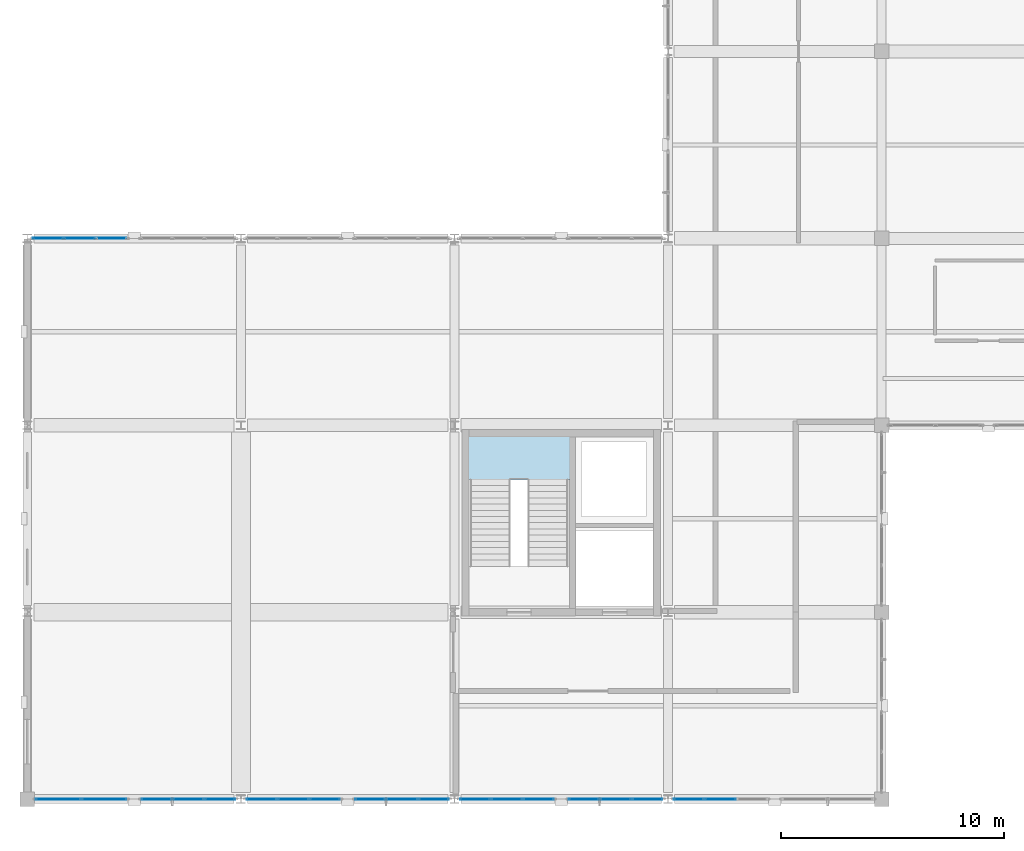
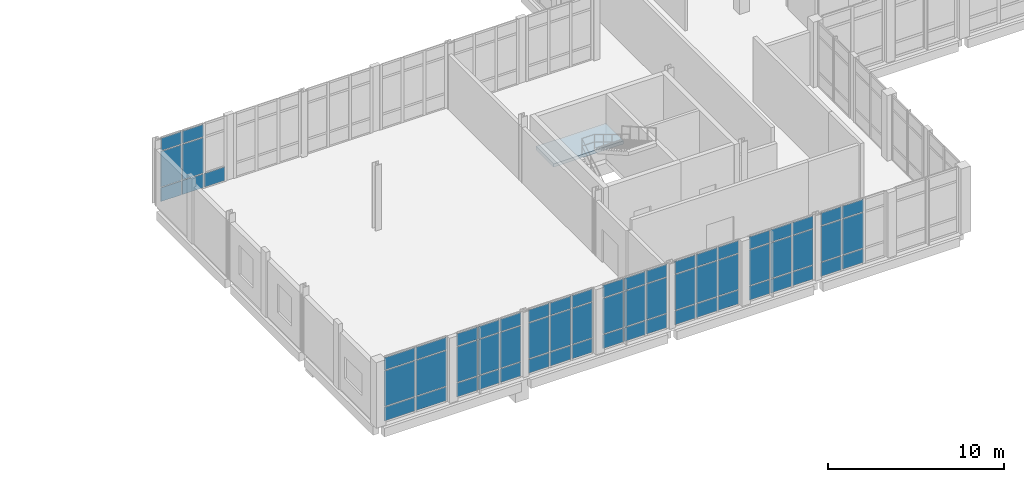
# One storey, part 74 of 102: 64 plates, 1 slab, 9 elements without a shape of their own.
"""IFC4 building model written with IfcOpenShell, lengths in metres."""

import ifcopenshell
import ifcopenshell.guid

model = None  # the IFC model being written
_history = None  # IfcOwnerHistory: only IFC2X3 demands one
_inside = {}  # id of a spatial element -> (the spatial element, [elements in it])
_under = {}  # id of a project, library or spatial element -> (it, [spatial elements below it])
_declared = {}  # id of a project -> (the project, [libraries it declares])
_typed = {}  # id of a type object -> (the type object, [elements of that type])
_made_of = {}  # id of a material, layer set ... -> (it, [elements and type objects made of it])


def new_model(schema):
    """Start an empty IFC model of exactly this schema.

    Asked for "IFC4X3", IfcOpenShell would pick the latest addendum, in which some entities
    have other attributes; the version numbers below select the first issue.
    IFC2X3 requires an IfcOwnerHistory on every rooted entity: one is made here for all.
    """
    global model, _history
    if schema == "IFC4X3":
        model = ifcopenshell.file(schema_version=(4, 3, 0, 0))
    else:
        model = ifcopenshell.file(schema=schema)
    _inside.clear()
    _under.clear()
    _declared.clear()
    _typed.clear()
    _made_of.clear()
    _history = None
    if model.schema == "IFC2X3":
        org = make("IfcOrganization", Name="unknown")
        user = make(
            "IfcPersonAndOrganization",
            ThePerson=make("IfcPerson", FamilyName="unknown"),
            TheOrganization=org,
        )
        app = make(
            "IfcApplication",
            ApplicationDeveloper=org,
            Version="unknown",
            ApplicationFullName="unknown",
            ApplicationIdentifier="unknown",
        )
        _history = make(
            "IfcOwnerHistory",
            OwningUser=user,
            OwningApplication=app,
            ChangeAction="ADDED",
            CreationDate=0,
        )
    return model


def make(cls, **values):
    """One entity of the class cls with the attributes given. An attribute that is None is left unset."""
    return model.create_entity(
        cls, **{name: value for name, value in values.items() if value is not None}
    )


def rooted(cls, **values):
    """An entity with a GlobalId (a new one), such as an element, a storey or a relation."""
    return make(cls, GlobalId=ifcopenshell.guid.new(), OwnerHistory=_history, **values)


def si_unit(unit_type, name, prefix=None):
    """IfcSIUnit, for example si_unit("LENGTHUNIT", "METRE", prefix="MILLI")."""
    return make("IfcSIUnit", UnitType=unit_type, Prefix=prefix, Name=name)


def assignment(units):
    """IfcUnitAssignment: the units of a project."""
    return None if units is None else make("IfcUnitAssignment", Units=units)


def point(xyz):
    """IfcCartesianPoint."""
    return None if xyz is None else make("IfcCartesianPoint", Coordinates=xyz)


def direction(xyz):
    """IfcDirection."""
    return None if xyz is None else make("IfcDirection", DirectionRatios=xyz)


def frame(location, z_axis=None, x_axis=None):
    """IfcAxis2Placement3D, a coordinate frame: its origin and axes. An axis left out is left unset."""
    return make(
        "IfcAxis2Placement3D",
        Location=point(location),
        Axis=direction(z_axis),
        RefDirection=direction(x_axis),
    )


def frame_2d(location, x_axis=None):
    """IfcAxis2Placement2D, a coordinate frame in the plane: its origin and x axis."""
    return make(
        "IfcAxis2Placement2D", Location=point(location), RefDirection=direction(x_axis)
    )


def origin():
    """The frame at (0, 0, 0) with its axes left unset."""
    return frame((0.0, 0.0, 0.0))


def origin_2d():
    """The frame at (0, 0) in the plane with its x axis left unset."""
    return frame_2d((0.0, 0.0))


def place(relative_to, where):
    """IfcLocalPlacement: puts the frame where relative to a parent placement (None: the world)."""
    return make(
        "IfcLocalPlacement", PlacementRelTo=relative_to, RelativePlacement=where
    )


def context(
    kind, dimensions, precision=None, world=None, true_north=None, identifier=None
):
    """IfcGeometricRepresentationContext, for example the 3D "Model" context."""
    return make(
        "IfcGeometricRepresentationContext",
        ContextIdentifier=identifier,
        ContextType=kind,
        CoordinateSpaceDimension=dimensions,
        Precision=precision,
        WorldCoordinateSystem=world,
        TrueNorth=true_north,
    )


def subcontext(parent, identifier, kind, view, scale=None):
    """IfcGeometricRepresentationSubContext, for example "Body" below "Model"."""
    return make(
        "IfcGeometricRepresentationSubContext",
        ContextIdentifier=identifier,
        ContextType=kind,
        ParentContext=parent,
        TargetScale=scale,
        TargetView=view,
    )


def project(units=None, contexts=None):
    """IfcProject with its units and contexts."""
    return rooted(
        "IfcProject",
        Name="project",
        RepresentationContexts=contexts,
        UnitsInContext=assignment(units),
    )


def spatial(cls, under=None, at=None, **own):
    """A site, building, storey or space (cls), placed at a placement, below another one or the project."""
    s = rooted(cls, ObjectPlacement=at, **own)
    if under is not None:
        _under.setdefault(under.id(), (under, []))[1].append(s)
    return s


def polyline(points):
    """IfcPolyline through the points."""
    return make("IfcPolyline", Points=[point(p) for p in points])


def profile(cls, at=None, kind="AREA", **sizes):
    """A parametric profile (cls). Its sizes go by their IFC names, for example OverallWidth=200.0."""
    return make(cls, ProfileType=kind, Position=at, **sizes)


def rectangle(**sizes):
    """IfcRectangleProfileDef."""
    return profile("IfcRectangleProfileDef", **sizes)


def outline(outer, holes=None, kind="AREA"):
    """IfcArbitraryClosedProfileDef: a profile drawn as a closed curve; with holes, ...WithVoids."""
    if holes is None:
        return make("IfcArbitraryClosedProfileDef", ProfileType=kind, OuterCurve=outer)
    return make(
        "IfcArbitraryProfileDefWithVoids",
        ProfileType=kind,
        OuterCurve=outer,
        InnerCurves=holes,
    )


def extrude(swept, where, along, depth):
    """IfcExtrudedAreaSolid: the profile swept, set in the frame where, extruded along a direction by depth."""
    return make(
        "IfcExtrudedAreaSolid",
        SweptArea=swept,
        Position=where,
        ExtrudedDirection=direction(along),
        Depth=depth,
    )


def shape(context_of_items, identifier, shape_type, items):
    """IfcShapeRepresentation: the items that make up one representation, for example the "Body"."""
    return make(
        "IfcShapeRepresentation",
        ContextOfItems=context_of_items,
        RepresentationIdentifier=identifier,
        RepresentationType=shape_type,
        Items=items,
    )


def material(Name=None, Category=None):
    """IfcMaterial."""
    return make("IfcMaterial", Name=Name, Category=Category)


def layer(
    of_material, thickness, ventilated=None, Name=None, Category=None, Priority=None
):
    """IfcMaterialLayer: one layer of a wall or slab, of a material (None: an air gap)."""
    return make(
        "IfcMaterialLayer",
        Material=of_material,
        LayerThickness=thickness,
        IsVentilated=ventilated,
        Name=Name,
        Category=Category,
        Priority=Priority,
    )


def layer_set(layers, Name=None):
    """IfcMaterialLayerSet."""
    return make("IfcMaterialLayerSet", MaterialLayers=layers, LayerSetName=Name)


def made_of(thing, what):
    """Note that an element or type object is made of a material, layer set ...; save() writes the relation."""
    if what is not None:
        _made_of.setdefault(what.id(), (what, []))[1].append(thing)
    return thing


def type_object(cls, material=None, **own):
    """A type object (cls), such as IfcWallType, which elements share."""
    return made_of(rooted(cls, **own), material)


def element(
    cls,
    number,
    at=None,
    inside=None,
    cuts=None,
    type_object=None,
    material=None,
    context=None,
    identifier="Body",
    shape_type=None,
    held_by="IfcProductDefinitionShape",
    body=None,
    shapes=None,
    **own,
):
    """One element of the class cls, such as IfcWall. Its Tag is "e" and its number.

    at: its placement. inside: the storey or other place that contains it. cuts: it is an
    opening in that element (IfcRelVoidsElement). A single representation is given by context,
    identifier, shape_type and body (its items); several are given by shapes. held_by: the class
    of the entity that holds the representations. save() writes the other relations.
    """
    e = rooted(cls, Tag="e%d" % number, ObjectPlacement=at, **own)
    if body is not None:
        shapes = [shape(context, identifier, shape_type, body)]
    if shapes is not None:
        e.Representation = make(held_by, Representations=shapes)
    if inside is not None:
        _inside.setdefault(inside.id(), (inside, []))[1].append(e)
    if cuts is not None:
        rooted(
            "IfcRelVoidsElement", RelatingBuildingElement=cuts, RelatedOpeningElement=e
        )
    if type_object is not None:
        _typed.setdefault(type_object.id(), (type_object, []))[1].append(e)
    return made_of(e, material)


def aggregate(whole, parts):
    """IfcRelAggregates: a whole, such as a stair, and the parts it consists of."""
    return rooted("IfcRelAggregates", RelatingObject=whole, RelatedObjects=parts)


def save(model, path):
    """Write the relations noted so far, then the file.

    IfcRelAggregates (storeys below a building ...), IfcRelContainedInSpatialStructure (elements
    in a storey), IfcRelDefinesByType, IfcRelAssociatesMaterial and IfcRelDeclares: one each for
    every whole, place, type object, material and project.
    """
    for whole, parts in _under.values():
        aggregate(whole, parts)
    for where, things in _inside.values():
        rooted(
            "IfcRelContainedInSpatialStructure",
            RelatedElements=things,
            RelatingStructure=where,
        )
    for kind, things in _typed.values():
        rooted("IfcRelDefinesByType", RelatedObjects=things, RelatingType=kind)
    for what, things in _made_of.values():
        rooted("IfcRelAssociatesMaterial", RelatedObjects=things, RelatingMaterial=what)
    for by, libraries in _declared.values():
        rooted("IfcRelDeclares", RelatingContext=by, RelatedDefinitions=libraries)
    model.write(path)


model = new_model("IFC4")

# Units and contexts
model_context = context("Model", 3, precision=1e-05, world=origin(), true_north=direction((0.0, 1.0)))
body_context = subcontext(model_context, "Body", "Model", "MODEL_VIEW")
ifc_project = project(units=[si_unit("LENGTHUNIT", "METRE"), si_unit("AREAUNIT", "SQUARE_METRE"), si_unit("VOLUMEUNIT", "CUBIC_METRE"), si_unit("PLANEANGLEUNIT", "RADIAN"), si_unit("MASSUNIT", "GRAM", prefix="KILO")], contexts=[model_context])

# Site, building, storey
site_placement = place(None, origin())
site = spatial("IfcSite", under=ifc_project, at=site_placement, CompositionType="ELEMENT")
building_placement = place(site_placement, origin())
building = spatial("IfcBuilding", under=site, at=building_placement, Name="Lornevale Opera House", CompositionType="ELEMENT")
storey_placement = place(building_placement, frame((0.0, 0.0, 5.39990234375)))
storey = spatial("IfcBuildingStorey", under=building, at=storey_placement, Name="L02", CompositionType="ELEMENT", Elevation=5.39990234375)

# Curtain wall, plates
ifc_material_1 = material(Name="Anodized Oxide-Green Aluminium Framing", Category="aluminium")
ifc_layer_1 = layer(ifc_material_1, 0.175048828125)
ifc_layer_set_1 = layer_set([ifc_layer_1], Name="Anodized Oxide-Green Aluminium Framing")
curtain_wall_type = type_object("IfcCurtainWallType", Name="Chamber Cloister Curtain Wall M1700", PredefinedType="NOTDEFINED", material=ifc_layer_set_1)
curtain_wall_1_placement = place(storey_placement, origin())
curtain_wall_1 = element("IfcCurtainWall", 1, at=curtain_wall_1_placement, inside=storey, type_object=curtain_wall_type, Name="Chamber Cloister Curtain Wall M1700 CW-021", PredefinedType="NOTDEFINED")
ifc_material_2 = material(Name="Triple Low-E Insulated Glazing", Category="glass")
ifc_layer_2 = layer(ifc_material_2, 0.0419921875)
ifc_layer_set_2 = layer_set([ifc_layer_2], Name="Triple Low-E Insulated Glazing")
plate_type = type_object("IfcPlateType", Name="Ceramic Fritted Bird-Safe Panel 42", PredefinedType="CURTAIN_PANEL", material=ifc_layer_set_2)
plate_1_placement = place(storey_placement, frame((8.669677734375, 0.0, 0.0654296875), z_axis=(0.0, 0.0, 1.0), x_axis=(-1.0, 0.0, 0.0)))
plate_1 = element("IfcPlate", 2, at=plate_1_placement, type_object=plate_type, Name="Ceramic Fritted Bird-Safe Panel 42 CW0349", PredefinedType="CURTAIN_PANEL", context=body_context, shape_type="SweptSolid", body=[
    extrude(rectangle(XDim=1.3447265625, YDim=0.0419921875, at=origin_2d()), origin(), (0.0, 0.0, 1.0), 0.952392578125),
])
plate_2_placement = place(storey_placement, frame((8.669677734375, 0.0, 1.08251953125), z_axis=(0.0, 0.0, 1.0), x_axis=(-1.0, 0.0, 0.0)))
plate_2 = element("IfcPlate", 3, at=plate_2_placement, type_object=plate_type, Name="Ceramic Fritted Bird-Safe Panel 42 CW0350", PredefinedType="CURTAIN_PANEL", context=body_context, shape_type="SweptSolid", body=[
    extrude(rectangle(XDim=1.3447265625, YDim=0.0419921875, at=origin_2d()), origin(), (0.0, 0.0, 1.0), 2.455078125),
])
plate_3_placement = place(storey_placement, frame((8.669677734375, 0.0, 3.6025390625), z_axis=(0.0, 0.0, 1.0), x_axis=(-1.0, 0.0, 0.0)))
plate_3 = element("IfcPlate", 4, at=plate_3_placement, type_object=plate_type, Name="Ceramic Fritted Bird-Safe Panel 42 CW0351", PredefinedType="CURTAIN_PANEL", context=body_context, shape_type="SweptSolid", body=[
    extrude(rectangle(XDim=1.3447265625, YDim=0.0419921875, at=origin_2d()), origin(), (0.0, 0.0, 1.0), 0.8525390625),
])
plate_4_placement = place(storey_placement, frame((7.243408203125, 0.0, 0.0654296875), z_axis=(0.0, 0.0, 1.0), x_axis=(-1.0, 0.0, 0.0)))
plate_4 = element("IfcPlate", 5, at=plate_4_placement, type_object=plate_type, Name="Ceramic Fritted Bird-Safe Panel 42 CW0356", PredefinedType="CURTAIN_PANEL", context=body_context, shape_type="SweptSolid", body=[
    extrude(rectangle(XDim=1.377197265625, YDim=0.0419921875, at=origin_2d()), origin(), (0.0, 0.0, 1.0), 0.952392578125),
])
plate_5_placement = place(storey_placement, frame((7.243408203125, 0.0, 1.08251953125), z_axis=(0.0, 0.0, 1.0), x_axis=(-1.0, 0.0, 0.0)))
plate_5 = element("IfcPlate", 6, at=plate_5_placement, type_object=plate_type, Name="Ceramic Fritted Bird-Safe Panel 42 CW0357", PredefinedType="CURTAIN_PANEL", context=body_context, shape_type="SweptSolid", body=[
    extrude(rectangle(XDim=1.377197265625, YDim=0.0419921875, at=origin_2d()), origin(), (0.0, 0.0, 1.0), 2.455078125),
])
plate_6_placement = place(storey_placement, frame((7.243408203125, 0.0, 3.6025390625), z_axis=(0.0, 0.0, 1.0), x_axis=(-1.0, 0.0, 0.0)))
plate_6 = element("IfcPlate", 7, at=plate_6_placement, type_object=plate_type, Name="Ceramic Fritted Bird-Safe Panel 42 CW0358", PredefinedType="CURTAIN_PANEL", context=body_context, shape_type="SweptSolid", body=[
    extrude(rectangle(XDim=1.377197265625, YDim=0.0419921875, at=origin_2d()), origin(), (0.0, 0.0, 1.0), 0.8525390625),
])
plate_7_placement = place(storey_placement, frame((5.8173828125, 0.0, 0.0654296875), z_axis=(0.0, 0.0, 1.0), x_axis=(-1.0, 0.0, 0.0)))
plate_7 = element("IfcPlate", 8, at=plate_7_placement, type_object=plate_type, Name="Ceramic Fritted Bird-Safe Panel 42 CW0363", PredefinedType="CURTAIN_PANEL", context=body_context, shape_type="SweptSolid", body=[
    extrude(rectangle(XDim=1.3447265625, YDim=0.0419921875, at=origin_2d()), origin(), (0.0, 0.0, 1.0), 0.952392578125),
])
plate_8_placement = place(storey_placement, frame((5.8173828125, 0.0, 1.08251953125), z_axis=(0.0, 0.0, 1.0), x_axis=(-1.0, 0.0, 0.0)))
plate_8 = element("IfcPlate", 9, at=plate_8_placement, type_object=plate_type, Name="Ceramic Fritted Bird-Safe Panel 42 CW0364", PredefinedType="CURTAIN_PANEL", context=body_context, shape_type="SweptSolid", body=[
    extrude(rectangle(XDim=1.3447265625, YDim=0.0419921875, at=origin_2d()), origin(), (0.0, 0.0, 1.0), 2.455078125),
])
plate_9_placement = place(storey_placement, frame((5.8173828125, 0.0, 3.6025390625), z_axis=(0.0, 0.0, 1.0), x_axis=(-1.0, 0.0, 0.0)))
plate_9 = element("IfcPlate", 10, at=plate_9_placement, type_object=plate_type, Name="Ceramic Fritted Bird-Safe Panel 42 CW0365", PredefinedType="CURTAIN_PANEL", context=body_context, shape_type="SweptSolid", body=[
    extrude(rectangle(XDim=1.3447265625, YDim=0.0419921875, at=origin_2d()), origin(), (0.0, 0.0, 1.0), 0.8525390625),
])
aggregate(curtain_wall_1, [plate_1, plate_2, plate_3, plate_4, plate_5, plate_6, plate_7, plate_8, plate_9])

curtain_wall_2_placement = place(storey_placement, origin())
curtain_wall_2 = element("IfcCurtainWall", 11, at=curtain_wall_2_placement, inside=storey, type_object=curtain_wall_type, Name="Chamber Cloister Curtain Wall M1700 CW-022", PredefinedType="NOTDEFINED")
plate_10_placement = place(storey_placement, frame((3.4541015625, 0.0, 0.0654296875), z_axis=(0.0, 0.0, 1.0), x_axis=(-1.0, 0.0, 0.0)))
plate_10 = element("IfcPlate", 12, at=plate_10_placement, type_object=plate_type, Name="Ceramic Fritted Bird-Safe Panel 42 CW0373", PredefinedType="CURTAIN_PANEL", context=body_context, shape_type="SweptSolid", body=[
    extrude(rectangle(XDim=2.001953125, YDim=0.0419921875, at=origin_2d()), origin(), (0.0, 0.0, 1.0), 0.952392578125),
])
plate_11_placement = place(storey_placement, frame((3.4541015625, 0.0, 1.08251953125), z_axis=(0.0, 0.0, 1.0), x_axis=(-1.0, 0.0, 0.0)))
plate_11 = element("IfcPlate", 13, at=plate_11_placement, type_object=plate_type, Name="Ceramic Fritted Bird-Safe Panel 42 CW0374", PredefinedType="CURTAIN_PANEL", context=body_context, shape_type="SweptSolid", body=[
    extrude(rectangle(XDim=2.001953125, YDim=0.0419921875, at=origin_2d()), origin(), (0.0, 0.0, 1.0), 2.455078125),
])
plate_12_placement = place(storey_placement, frame((3.4541015625, 0.0, 3.6025390625), z_axis=(0.0, 0.0, 1.0), x_axis=(-1.0, 0.0, 0.0)))
plate_12 = element("IfcPlate", 14, at=plate_12_placement, type_object=plate_type, Name="Ceramic Fritted Bird-Safe Panel 42 CW0375", PredefinedType="CURTAIN_PANEL", context=body_context, shape_type="SweptSolid", body=[
    extrude(rectangle(XDim=2.001953125, YDim=0.0419921875, at=origin_2d()), origin(), (0.0, 0.0, 1.0), 0.8525390625),
])
plate_13_placement = place(storey_placement, frame((1.386962890625, 0.0, 0.0654296875), z_axis=(0.0, 0.0, 1.0), x_axis=(-1.0, 0.0, 0.0)))
plate_13 = element("IfcPlate", 15, at=plate_13_placement, type_object=plate_type, Name="Ceramic Fritted Bird-Safe Panel 42 CW0380", PredefinedType="CURTAIN_PANEL", context=body_context, shape_type="SweptSolid", body=[
    extrude(rectangle(XDim=2.001953125, YDim=0.0419921875, at=origin_2d()), origin(), (0.0, 0.0, 1.0), 0.952392578125),
])
plate_14_placement = place(storey_placement, frame((1.386962890625, 0.0, 1.08251953125), z_axis=(0.0, 0.0, 1.0), x_axis=(-1.0, 0.0, 0.0)))
plate_14 = element("IfcPlate", 16, at=plate_14_placement, type_object=plate_type, Name="Ceramic Fritted Bird-Safe Panel 42 CW0381", PredefinedType="CURTAIN_PANEL", context=body_context, shape_type="SweptSolid", body=[
    extrude(rectangle(XDim=2.001953125, YDim=0.0419921875, at=origin_2d()), origin(), (0.0, 0.0, 1.0), 2.455078125),
])
plate_15_placement = place(storey_placement, frame((1.386962890625, 0.0, 3.6025390625), z_axis=(0.0, 0.0, 1.0), x_axis=(-1.0, 0.0, 0.0)))
plate_15 = element("IfcPlate", 17, at=plate_15_placement, type_object=plate_type, Name="Ceramic Fritted Bird-Safe Panel 42 CW0382", PredefinedType="CURTAIN_PANEL", context=body_context, shape_type="SweptSolid", body=[
    extrude(rectangle(XDim=2.001953125, YDim=0.0419921875, at=origin_2d()), origin(), (0.0, 0.0, 1.0), 0.8525390625),
])
aggregate(curtain_wall_2, [plate_10, plate_11, plate_12, plate_13, plate_14, plate_15])

curtain_wall_3_placement = place(storey_placement, origin())
curtain_wall_3 = element("IfcCurtainWall", 18, at=curtain_wall_3_placement, inside=storey, type_object=curtain_wall_type, Name="Chamber Cloister Curtain Wall M1700 CW-023", PredefinedType="NOTDEFINED")
plate_16_placement = place(storey_placement, frame((0.930419921875, 25.199951171875, 0.0654296875), z_axis=(0.0, 0.0, 1.0), x_axis=(1.0, 0.0, 0.0)))
plate_16 = element("IfcPlate", 19, at=plate_16_placement, type_object=plate_type, Name="Ceramic Fritted Bird-Safe Panel 42 CW0391", PredefinedType="CURTAIN_PANEL", context=body_context, shape_type="SweptSolid", body=[
    extrude(rectangle(XDim=1.3447265625, YDim=0.0419921875, at=origin_2d()), origin(), (0.0, 0.0, 1.0), 0.952392578125),
])
plate_17_placement = place(storey_placement, frame((0.930419921875, 25.199951171875, 1.08251953125), z_axis=(0.0, 0.0, 1.0), x_axis=(1.0, 0.0, 0.0)))
plate_17 = element("IfcPlate", 20, at=plate_17_placement, type_object=plate_type, Name="Ceramic Fritted Bird-Safe Panel 42 CW0392", PredefinedType="CURTAIN_PANEL", context=body_context, shape_type="SweptSolid", body=[
    extrude(rectangle(XDim=1.3447265625, YDim=0.0419921875, at=origin_2d()), origin(), (0.0, 0.0, 1.0), 2.455078125),
])
plate_18_placement = place(storey_placement, frame((0.930419921875, 25.199951171875, 3.6025390625), z_axis=(0.0, 0.0, 1.0), x_axis=(1.0, 0.0, 0.0)))
plate_18 = element("IfcPlate", 21, at=plate_18_placement, type_object=plate_type, Name="Ceramic Fritted Bird-Safe Panel 42 CW0393", PredefinedType="CURTAIN_PANEL", context=body_context, shape_type="SweptSolid", body=[
    extrude(rectangle(XDim=1.3447265625, YDim=0.0419921875, at=origin_2d()), origin(), (0.0, 0.0, 1.0), 0.8525390625),
])
plate_19_placement = place(storey_placement, frame((2.3564453125, 25.199951171875, 0.0654296875), z_axis=(0.0, 0.0, 1.0), x_axis=(1.0, 0.0, 0.0)))
plate_19 = element("IfcPlate", 22, at=plate_19_placement, type_object=plate_type, Name="Ceramic Fritted Bird-Safe Panel 42 CW0398", PredefinedType="CURTAIN_PANEL", context=body_context, shape_type="SweptSolid", body=[
    extrude(rectangle(XDim=1.377197265625, YDim=0.0419921875, at=origin_2d()), origin(), (0.0, 0.0, 1.0), 0.952392578125),
])
plate_20_placement = place(storey_placement, frame((2.3564453125, 25.199951171875, 1.08251953125), z_axis=(0.0, 0.0, 1.0), x_axis=(1.0, 0.0, 0.0)))
plate_20 = element("IfcPlate", 23, at=plate_20_placement, type_object=plate_type, Name="Ceramic Fritted Bird-Safe Panel 42 CW0399", PredefinedType="CURTAIN_PANEL", context=body_context, shape_type="SweptSolid", body=[
    extrude(rectangle(XDim=1.377197265625, YDim=0.0419921875, at=origin_2d()), origin(), (0.0, 0.0, 1.0), 2.455078125),
])
plate_21_placement = place(storey_placement, frame((2.3564453125, 25.199951171875, 3.6025390625), z_axis=(0.0, 0.0, 1.0), x_axis=(1.0, 0.0, 0.0)))
plate_21 = element("IfcPlate", 24, at=plate_21_placement, type_object=plate_type, Name="Ceramic Fritted Bird-Safe Panel 42 CW0400", PredefinedType="CURTAIN_PANEL", context=body_context, shape_type="SweptSolid", body=[
    extrude(rectangle(XDim=1.377197265625, YDim=0.0419921875, at=origin_2d()), origin(), (0.0, 0.0, 1.0), 0.8525390625),
])
plate_22_placement = place(storey_placement, frame((3.78271484375, 25.199951171875, 0.0654296875), z_axis=(0.0, 0.0, 1.0), x_axis=(1.0, 0.0, 0.0)))
plate_22 = element("IfcPlate", 25, at=plate_22_placement, type_object=plate_type, Name="Ceramic Fritted Bird-Safe Panel 42 CW0405", PredefinedType="CURTAIN_PANEL", context=body_context, shape_type="SweptSolid", body=[
    extrude(rectangle(XDim=1.3447265625, YDim=0.0419921875, at=origin_2d()), origin(), (0.0, 0.0, 1.0), 0.952392578125),
])
aggregate(curtain_wall_3, [plate_16, plate_17, plate_18, plate_19, plate_20, plate_21, plate_22])

curtain_wall_4_placement = place(storey_placement, origin())
curtain_wall_4 = element("IfcCurtainWall", 26, at=curtain_wall_4_placement, inside=storey, type_object=curtain_wall_type, Name="Chamber Cloister Curtain Wall M1700 CW-029", PredefinedType="NOTDEFINED")
plate_23_placement = place(storey_placement, frame((18.26953125, 0.0, 0.0654296875), z_axis=(0.0, 0.0, 1.0), x_axis=(-1.0, 0.0, 0.0)))
plate_23 = element("IfcPlate", 27, at=plate_23_placement, type_object=plate_type, Name="Ceramic Fritted Bird-Safe Panel 42 CW0541", PredefinedType="CURTAIN_PANEL", context=body_context, shape_type="SweptSolid", body=[
    extrude(rectangle(XDim=1.3447265625, YDim=0.0419921875, at=origin_2d()), origin(), (0.0, 0.0, 1.0), 0.952392578125),
])
plate_24_placement = place(storey_placement, frame((18.26953125, 0.0, 1.08251953125), z_axis=(0.0, 0.0, 1.0), x_axis=(-1.0, 0.0, 0.0)))
plate_24 = element("IfcPlate", 28, at=plate_24_placement, type_object=plate_type, Name="Ceramic Fritted Bird-Safe Panel 42 CW0542", PredefinedType="CURTAIN_PANEL", context=body_context, shape_type="SweptSolid", body=[
    extrude(rectangle(XDim=1.3447265625, YDim=0.0419921875, at=origin_2d()), origin(), (0.0, 0.0, 1.0), 2.455078125),
])
plate_25_placement = place(storey_placement, frame((18.26953125, 0.0, 3.6025390625), z_axis=(0.0, 0.0, 1.0), x_axis=(-1.0, 0.0, 0.0)))
plate_25 = element("IfcPlate", 29, at=plate_25_placement, type_object=plate_type, Name="Ceramic Fritted Bird-Safe Panel 42 CW0543", PredefinedType="CURTAIN_PANEL", context=body_context, shape_type="SweptSolid", body=[
    extrude(rectangle(XDim=1.3447265625, YDim=0.0419921875, at=origin_2d()), origin(), (0.0, 0.0, 1.0), 0.8525390625),
])
plate_26_placement = place(storey_placement, frame((16.843505859375, 0.0, 0.0654296875), z_axis=(0.0, 0.0, 1.0), x_axis=(-1.0, 0.0, 0.0)))
plate_26 = element("IfcPlate", 30, at=plate_26_placement, type_object=plate_type, Name="Ceramic Fritted Bird-Safe Panel 42 CW0548", PredefinedType="CURTAIN_PANEL", context=body_context, shape_type="SweptSolid", body=[
    extrude(rectangle(XDim=1.377197265625, YDim=0.0419921875, at=origin_2d()), origin(), (0.0, 0.0, 1.0), 0.952392578125),
])
plate_27_placement = place(storey_placement, frame((16.843505859375, 0.0, 1.08251953125), z_axis=(0.0, 0.0, 1.0), x_axis=(-1.0, 0.0, 0.0)))
plate_27 = element("IfcPlate", 31, at=plate_27_placement, type_object=plate_type, Name="Ceramic Fritted Bird-Safe Panel 42 CW0549", PredefinedType="CURTAIN_PANEL", context=body_context, shape_type="SweptSolid", body=[
    extrude(rectangle(XDim=1.377197265625, YDim=0.0419921875, at=origin_2d()), origin(), (0.0, 0.0, 1.0), 2.455078125),
])
plate_28_placement = place(storey_placement, frame((16.843505859375, 0.0, 3.6025390625), z_axis=(0.0, 0.0, 1.0), x_axis=(-1.0, 0.0, 0.0)))
plate_28 = element("IfcPlate", 32, at=plate_28_placement, type_object=plate_type, Name="Ceramic Fritted Bird-Safe Panel 42 CW0550", PredefinedType="CURTAIN_PANEL", context=body_context, shape_type="SweptSolid", body=[
    extrude(rectangle(XDim=1.377197265625, YDim=0.0419921875, at=origin_2d()), origin(), (0.0, 0.0, 1.0), 0.8525390625),
])
plate_29_placement = place(storey_placement, frame((15.41748046875, 0.0, 0.0654296875), z_axis=(0.0, 0.0, 1.0), x_axis=(-1.0, 0.0, 0.0)))
plate_29 = element("IfcPlate", 33, at=plate_29_placement, type_object=plate_type, Name="Ceramic Fritted Bird-Safe Panel 42 CW0555", PredefinedType="CURTAIN_PANEL", context=body_context, shape_type="SweptSolid", body=[
    extrude(rectangle(XDim=1.3447265625, YDim=0.0419921875, at=origin_2d()), origin(), (0.0, 0.0, 1.0), 0.952392578125),
])
plate_30_placement = place(storey_placement, frame((15.41748046875, 0.0, 1.08251953125), z_axis=(0.0, 0.0, 1.0), x_axis=(-1.0, 0.0, 0.0)))
plate_30 = element("IfcPlate", 34, at=plate_30_placement, type_object=plate_type, Name="Ceramic Fritted Bird-Safe Panel 42 CW0556", PredefinedType="CURTAIN_PANEL", context=body_context, shape_type="SweptSolid", body=[
    extrude(rectangle(XDim=1.3447265625, YDim=0.0419921875, at=origin_2d()), origin(), (0.0, 0.0, 1.0), 2.455078125),
])
plate_31_placement = place(storey_placement, frame((15.41748046875, 0.0, 3.6025390625), z_axis=(0.0, 0.0, 1.0), x_axis=(-1.0, 0.0, 0.0)))
plate_31 = element("IfcPlate", 35, at=plate_31_placement, type_object=plate_type, Name="Ceramic Fritted Bird-Safe Panel 42 CW0557", PredefinedType="CURTAIN_PANEL", context=body_context, shape_type="SweptSolid", body=[
    extrude(rectangle(XDim=1.3447265625, YDim=0.0419921875, at=origin_2d()), origin(), (0.0, 0.0, 1.0), 0.8525390625),
])
aggregate(curtain_wall_4, [plate_23, plate_24, plate_25, plate_26, plate_27, plate_28, plate_29, plate_30, plate_31])

curtain_wall_5_placement = place(storey_placement, origin())
curtain_wall_5 = element("IfcCurtainWall", 36, at=curtain_wall_5_placement, inside=storey, type_object=curtain_wall_type, Name="Chamber Cloister Curtain Wall M1700 CW-030", PredefinedType="NOTDEFINED")
plate_32_placement = place(storey_placement, frame((13.382568359375, 0.0, 0.0654296875), z_axis=(0.0, 0.0, 1.0), x_axis=(-1.0, 0.0, 0.0)))
plate_32 = element("IfcPlate", 37, at=plate_32_placement, type_object=plate_type, Name="Ceramic Fritted Bird-Safe Panel 42 CW0566", PredefinedType="CURTAIN_PANEL", context=body_context, shape_type="SweptSolid", body=[
    extrude(rectangle(XDim=1.3447265625, YDim=0.0419921875, at=origin_2d()), origin(), (0.0, 0.0, 1.0), 0.952392578125),
])
plate_33_placement = place(storey_placement, frame((13.382568359375, 0.0, 1.08251953125), z_axis=(0.0, 0.0, 1.0), x_axis=(-1.0, 0.0, 0.0)))
plate_33 = element("IfcPlate", 38, at=plate_33_placement, type_object=plate_type, Name="Ceramic Fritted Bird-Safe Panel 42 CW0567", PredefinedType="CURTAIN_PANEL", context=body_context, shape_type="SweptSolid", body=[
    extrude(rectangle(XDim=1.3447265625, YDim=0.0419921875, at=origin_2d()), origin(), (0.0, 0.0, 1.0), 2.455078125),
])
plate_34_placement = place(storey_placement, frame((13.382568359375, 0.0, 3.6025390625), z_axis=(0.0, 0.0, 1.0), x_axis=(-1.0, 0.0, 0.0)))
plate_34 = element("IfcPlate", 39, at=plate_34_placement, type_object=plate_type, Name="Ceramic Fritted Bird-Safe Panel 42 CW0568", PredefinedType="CURTAIN_PANEL", context=body_context, shape_type="SweptSolid", body=[
    extrude(rectangle(XDim=1.3447265625, YDim=0.0419921875, at=origin_2d()), origin(), (0.0, 0.0, 1.0), 0.8525390625),
])
plate_35_placement = place(storey_placement, frame((11.95654296875, 0.0, 0.0654296875), z_axis=(0.0, 0.0, 1.0), x_axis=(-1.0, 0.0, 0.0)))
plate_35 = element("IfcPlate", 40, at=plate_35_placement, type_object=plate_type, Name="Ceramic Fritted Bird-Safe Panel 42 CW0573", PredefinedType="CURTAIN_PANEL", context=body_context, shape_type="SweptSolid", body=[
    extrude(rectangle(XDim=1.377197265625, YDim=0.0419921875, at=origin_2d()), origin(), (0.0, 0.0, 1.0), 0.952392578125),
])
plate_36_placement = place(storey_placement, frame((11.95654296875, 0.0, 1.08251953125), z_axis=(0.0, 0.0, 1.0), x_axis=(-1.0, 0.0, 0.0)))
plate_36 = element("IfcPlate", 41, at=plate_36_placement, type_object=plate_type, Name="Ceramic Fritted Bird-Safe Panel 42 CW0574", PredefinedType="CURTAIN_PANEL", context=body_context, shape_type="SweptSolid", body=[
    extrude(rectangle(XDim=1.377197265625, YDim=0.0419921875, at=origin_2d()), origin(), (0.0, 0.0, 1.0), 2.455078125),
])
plate_37_placement = place(storey_placement, frame((11.95654296875, 0.0, 3.6025390625), z_axis=(0.0, 0.0, 1.0), x_axis=(-1.0, 0.0, 0.0)))
plate_37 = element("IfcPlate", 42, at=plate_37_placement, type_object=plate_type, Name="Ceramic Fritted Bird-Safe Panel 42 CW0575", PredefinedType="CURTAIN_PANEL", context=body_context, shape_type="SweptSolid", body=[
    extrude(rectangle(XDim=1.377197265625, YDim=0.0419921875, at=origin_2d()), origin(), (0.0, 0.0, 1.0), 0.8525390625),
])
plate_38_placement = place(storey_placement, frame((10.530517578125, 0.0, 0.0654296875), z_axis=(0.0, 0.0, 1.0), x_axis=(-1.0, 0.0, 0.0)))
plate_38 = element("IfcPlate", 43, at=plate_38_placement, type_object=plate_type, Name="Ceramic Fritted Bird-Safe Panel 42 CW0580", PredefinedType="CURTAIN_PANEL", context=body_context, shape_type="SweptSolid", body=[
    extrude(rectangle(XDim=1.3447265625, YDim=0.0419921875, at=origin_2d()), origin(), (0.0, 0.0, 1.0), 0.952392578125),
])
plate_39_placement = place(storey_placement, frame((10.530517578125, 0.0, 1.08251953125), z_axis=(0.0, 0.0, 1.0), x_axis=(-1.0, 0.0, 0.0)))
plate_39 = element("IfcPlate", 44, at=plate_39_placement, type_object=plate_type, Name="Ceramic Fritted Bird-Safe Panel 42 CW0581", PredefinedType="CURTAIN_PANEL", context=body_context, shape_type="SweptSolid", body=[
    extrude(rectangle(XDim=1.3447265625, YDim=0.0419921875, at=origin_2d()), origin(), (0.0, 0.0, 1.0), 2.455078125),
])
plate_40_placement = place(storey_placement, frame((10.530517578125, 0.0, 3.6025390625), z_axis=(0.0, 0.0, 1.0), x_axis=(-1.0, 0.0, 0.0)))
plate_40 = element("IfcPlate", 45, at=plate_40_placement, type_object=plate_type, Name="Ceramic Fritted Bird-Safe Panel 42 CW0582", PredefinedType="CURTAIN_PANEL", context=body_context, shape_type="SweptSolid", body=[
    extrude(rectangle(XDim=1.3447265625, YDim=0.0419921875, at=origin_2d()), origin(), (0.0, 0.0, 1.0), 0.8525390625),
])
aggregate(curtain_wall_5, [plate_32, plate_33, plate_34, plate_35, plate_36, plate_37, plate_38, plate_39, plate_40])

curtain_wall_6_placement = place(storey_placement, origin())
curtain_wall_6 = element("IfcCurtainWall", 46, at=curtain_wall_6_placement, inside=storey, type_object=curtain_wall_type, Name="Chamber Cloister Curtain Wall M1700 CW-037", PredefinedType="NOTDEFINED")
plate_41_placement = place(storey_placement, frame((27.86962890625, 0.0, 0.0654296875), z_axis=(0.0, 0.0, 1.0), x_axis=(-1.0, 0.0, 0.0)))
plate_41 = element("IfcPlate", 47, at=plate_41_placement, type_object=plate_type, Name="Ceramic Fritted Bird-Safe Panel 42 CW0741", PredefinedType="CURTAIN_PANEL", context=body_context, shape_type="SweptSolid", body=[
    extrude(rectangle(XDim=1.3447265625, YDim=0.0419921875, at=origin_2d()), origin(), (0.0, 0.0, 1.0), 0.952392578125),
])
plate_42_placement = place(storey_placement, frame((27.86962890625, 0.0, 1.08251953125), z_axis=(0.0, 0.0, 1.0), x_axis=(-1.0, 0.0, 0.0)))
plate_42 = element("IfcPlate", 48, at=plate_42_placement, type_object=plate_type, Name="Ceramic Fritted Bird-Safe Panel 42 CW0742", PredefinedType="CURTAIN_PANEL", context=body_context, shape_type="SweptSolid", body=[
    extrude(rectangle(XDim=1.3447265625, YDim=0.0419921875, at=origin_2d()), origin(), (0.0, 0.0, 1.0), 2.455078125),
])
plate_43_placement = place(storey_placement, frame((27.86962890625, 0.0, 3.6025390625), z_axis=(0.0, 0.0, 1.0), x_axis=(-1.0, 0.0, 0.0)))
plate_43 = element("IfcPlate", 49, at=plate_43_placement, type_object=plate_type, Name="Ceramic Fritted Bird-Safe Panel 42 CW0743", PredefinedType="CURTAIN_PANEL", context=body_context, shape_type="SweptSolid", body=[
    extrude(rectangle(XDim=1.3447265625, YDim=0.0419921875, at=origin_2d()), origin(), (0.0, 0.0, 1.0), 0.8525390625),
])
plate_44_placement = place(storey_placement, frame((26.443603515625, 0.0, 0.0654296875), z_axis=(0.0, 0.0, 1.0), x_axis=(-1.0, 0.0, 0.0)))
plate_44 = element("IfcPlate", 50, at=plate_44_placement, type_object=plate_type, Name="Ceramic Fritted Bird-Safe Panel 42 CW0748", PredefinedType="CURTAIN_PANEL", context=body_context, shape_type="SweptSolid", body=[
    extrude(rectangle(XDim=1.377197265625, YDim=0.0419921875, at=origin_2d()), origin(), (0.0, 0.0, 1.0), 0.952392578125),
])
plate_45_placement = place(storey_placement, frame((26.443603515625, 0.0, 1.08251953125), z_axis=(0.0, 0.0, 1.0), x_axis=(-1.0, 0.0, 0.0)))
plate_45 = element("IfcPlate", 51, at=plate_45_placement, type_object=plate_type, Name="Ceramic Fritted Bird-Safe Panel 42 CW0749", PredefinedType="CURTAIN_PANEL", context=body_context, shape_type="SweptSolid", body=[
    extrude(rectangle(XDim=1.377197265625, YDim=0.0419921875, at=origin_2d()), origin(), (0.0, 0.0, 1.0), 2.455078125),
])
plate_46_placement = place(storey_placement, frame((26.443603515625, 0.0, 3.6025390625), z_axis=(0.0, 0.0, 1.0), x_axis=(-1.0, 0.0, 0.0)))
plate_46 = element("IfcPlate", 52, at=plate_46_placement, type_object=plate_type, Name="Ceramic Fritted Bird-Safe Panel 42 CW0750", PredefinedType="CURTAIN_PANEL", context=body_context, shape_type="SweptSolid", body=[
    extrude(rectangle(XDim=1.377197265625, YDim=0.0419921875, at=origin_2d()), origin(), (0.0, 0.0, 1.0), 0.8525390625),
])
plate_47_placement = place(storey_placement, frame((25.017333984375, 0.0, 0.0654296875), z_axis=(0.0, 0.0, 1.0), x_axis=(-1.0, 0.0, 0.0)))
plate_47 = element("IfcPlate", 53, at=plate_47_placement, type_object=plate_type, Name="Ceramic Fritted Bird-Safe Panel 42 CW0755", PredefinedType="CURTAIN_PANEL", context=body_context, shape_type="SweptSolid", body=[
    extrude(rectangle(XDim=1.3447265625, YDim=0.0419921875, at=origin_2d()), origin(), (0.0, 0.0, 1.0), 0.952392578125),
])
plate_48_placement = place(storey_placement, frame((25.017333984375, 0.0, 1.08251953125), z_axis=(0.0, 0.0, 1.0), x_axis=(-1.0, 0.0, 0.0)))
plate_48 = element("IfcPlate", 54, at=plate_48_placement, type_object=plate_type, Name="Ceramic Fritted Bird-Safe Panel 42 CW0756", PredefinedType="CURTAIN_PANEL", context=body_context, shape_type="SweptSolid", body=[
    extrude(rectangle(XDim=1.3447265625, YDim=0.0419921875, at=origin_2d()), origin(), (0.0, 0.0, 1.0), 2.455078125),
])
plate_49_placement = place(storey_placement, frame((25.017333984375, 0.0, 3.6025390625), z_axis=(0.0, 0.0, 1.0), x_axis=(-1.0, 0.0, 0.0)))
plate_49 = element("IfcPlate", 55, at=plate_49_placement, type_object=plate_type, Name="Ceramic Fritted Bird-Safe Panel 42 CW0757", PredefinedType="CURTAIN_PANEL", context=body_context, shape_type="SweptSolid", body=[
    extrude(rectangle(XDim=1.3447265625, YDim=0.0419921875, at=origin_2d()), origin(), (0.0, 0.0, 1.0), 0.8525390625),
])
aggregate(curtain_wall_6, [plate_41, plate_42, plate_43, plate_44, plate_45, plate_46, plate_47, plate_48, plate_49])

curtain_wall_7_placement = place(storey_placement, origin())
curtain_wall_7 = element("IfcCurtainWall", 56, at=curtain_wall_7_placement, inside=storey, type_object=curtain_wall_type, Name="Chamber Cloister Curtain Wall M1700 CW-038", PredefinedType="NOTDEFINED")
plate_50_placement = place(storey_placement, frame((22.982666015625, 0.0, 0.0654296875), z_axis=(0.0, 0.0, 1.0), x_axis=(-1.0, 0.0, 0.0)))
plate_50 = element("IfcPlate", 57, at=plate_50_placement, type_object=plate_type, Name="Ceramic Fritted Bird-Safe Panel 42 CW0766", PredefinedType="CURTAIN_PANEL", context=body_context, shape_type="SweptSolid", body=[
    extrude(rectangle(XDim=1.3447265625, YDim=0.0419921875, at=origin_2d()), origin(), (0.0, 0.0, 1.0), 0.952392578125),
])
plate_51_placement = place(storey_placement, frame((22.982666015625, 0.0, 1.08251953125), z_axis=(0.0, 0.0, 1.0), x_axis=(-1.0, 0.0, 0.0)))
plate_51 = element("IfcPlate", 58, at=plate_51_placement, type_object=plate_type, Name="Ceramic Fritted Bird-Safe Panel 42 CW0767", PredefinedType="CURTAIN_PANEL", context=body_context, shape_type="SweptSolid", body=[
    extrude(rectangle(XDim=1.3447265625, YDim=0.0419921875, at=origin_2d()), origin(), (0.0, 0.0, 1.0), 2.455078125),
])
plate_52_placement = place(storey_placement, frame((22.982666015625, 0.0, 3.6025390625), z_axis=(0.0, 0.0, 1.0), x_axis=(-1.0, 0.0, 0.0)))
plate_52 = element("IfcPlate", 59, at=plate_52_placement, type_object=plate_type, Name="Ceramic Fritted Bird-Safe Panel 42 CW0768", PredefinedType="CURTAIN_PANEL", context=body_context, shape_type="SweptSolid", body=[
    extrude(rectangle(XDim=1.3447265625, YDim=0.0419921875, at=origin_2d()), origin(), (0.0, 0.0, 1.0), 0.8525390625),
])
plate_53_placement = place(storey_placement, frame((21.556396484375, 0.0, 0.0654296875), z_axis=(0.0, 0.0, 1.0), x_axis=(-1.0, 0.0, 0.0)))
plate_53 = element("IfcPlate", 60, at=plate_53_placement, type_object=plate_type, Name="Ceramic Fritted Bird-Safe Panel 42 CW0773", PredefinedType="CURTAIN_PANEL", context=body_context, shape_type="SweptSolid", body=[
    extrude(rectangle(XDim=1.377197265625, YDim=0.0419921875, at=origin_2d()), origin(), (0.0, 0.0, 1.0), 0.952392578125),
])
plate_54_placement = place(storey_placement, frame((21.556396484375, 0.0, 1.08251953125), z_axis=(0.0, 0.0, 1.0), x_axis=(-1.0, 0.0, 0.0)))
plate_54 = element("IfcPlate", 61, at=plate_54_placement, type_object=plate_type, Name="Ceramic Fritted Bird-Safe Panel 42 CW0774", PredefinedType="CURTAIN_PANEL", context=body_context, shape_type="SweptSolid", body=[
    extrude(rectangle(XDim=1.377197265625, YDim=0.0419921875, at=origin_2d()), origin(), (0.0, 0.0, 1.0), 2.455078125),
])
plate_55_placement = place(storey_placement, frame((21.556396484375, 0.0, 3.6025390625), z_axis=(0.0, 0.0, 1.0), x_axis=(-1.0, 0.0, 0.0)))
plate_55 = element("IfcPlate", 62, at=plate_55_placement, type_object=plate_type, Name="Ceramic Fritted Bird-Safe Panel 42 CW0775", PredefinedType="CURTAIN_PANEL", context=body_context, shape_type="SweptSolid", body=[
    extrude(rectangle(XDim=1.377197265625, YDim=0.0419921875, at=origin_2d()), origin(), (0.0, 0.0, 1.0), 0.8525390625),
])
plate_56_placement = place(storey_placement, frame((20.13037109375, 0.0, 0.0654296875), z_axis=(0.0, 0.0, 1.0), x_axis=(-1.0, 0.0, 0.0)))
plate_56 = element("IfcPlate", 63, at=plate_56_placement, type_object=plate_type, Name="Ceramic Fritted Bird-Safe Panel 42 CW0780", PredefinedType="CURTAIN_PANEL", context=body_context, shape_type="SweptSolid", body=[
    extrude(rectangle(XDim=1.3447265625, YDim=0.0419921875, at=origin_2d()), origin(), (0.0, 0.0, 1.0), 0.952392578125),
])
plate_57_placement = place(storey_placement, frame((20.13037109375, 0.0, 1.08251953125), z_axis=(0.0, 0.0, 1.0), x_axis=(-1.0, 0.0, 0.0)))
plate_57 = element("IfcPlate", 64, at=plate_57_placement, type_object=plate_type, Name="Ceramic Fritted Bird-Safe Panel 42 CW0781", PredefinedType="CURTAIN_PANEL", context=body_context, shape_type="SweptSolid", body=[
    extrude(rectangle(XDim=1.3447265625, YDim=0.0419921875, at=origin_2d()), origin(), (0.0, 0.0, 1.0), 2.455078125),
])
plate_58_placement = place(storey_placement, frame((20.13037109375, 0.0, 3.6025390625), z_axis=(0.0, 0.0, 1.0), x_axis=(-1.0, 0.0, 0.0)))
plate_58 = element("IfcPlate", 65, at=plate_58_placement, type_object=plate_type, Name="Ceramic Fritted Bird-Safe Panel 42 CW0782", PredefinedType="CURTAIN_PANEL", context=body_context, shape_type="SweptSolid", body=[
    extrude(rectangle(XDim=1.3447265625, YDim=0.0419921875, at=origin_2d()), origin(), (0.0, 0.0, 1.0), 0.8525390625),
])
aggregate(curtain_wall_7, [plate_50, plate_51, plate_52, plate_53, plate_54, plate_55, plate_56, plate_57, plate_58])

curtain_wall_8_placement = place(storey_placement, origin())
curtain_wall_8 = element("IfcCurtainWall", 66, at=curtain_wall_8_placement, inside=storey, type_object=curtain_wall_type, Name="Chamber Cloister Curtain Wall M1700 CW-046", PredefinedType="NOTDEFINED")
plate_59_placement = place(storey_placement, frame((31.156494140625, 0.0, 0.0654296875), z_axis=(0.0, 0.0, 1.0), x_axis=(-1.0, 0.0, 0.0)))
plate_59 = element("IfcPlate", 67, at=plate_59_placement, type_object=plate_type, Name="Ceramic Fritted Bird-Safe Panel 42 CW0965", PredefinedType="CURTAIN_PANEL", context=body_context, shape_type="SweptSolid", body=[
    extrude(rectangle(XDim=1.377197265625, YDim=0.0419921875, at=origin_2d()), origin(), (0.0, 0.0, 1.0), 0.952392578125),
])
plate_60_placement = place(storey_placement, frame((31.156494140625, 0.0, 1.08251953125), z_axis=(0.0, 0.0, 1.0), x_axis=(-1.0, 0.0, 0.0)))
plate_60 = element("IfcPlate", 68, at=plate_60_placement, type_object=plate_type, Name="Ceramic Fritted Bird-Safe Panel 42 CW0966", PredefinedType="CURTAIN_PANEL", context=body_context, shape_type="SweptSolid", body=[
    extrude(rectangle(XDim=1.377197265625, YDim=0.0419921875, at=origin_2d()), origin(), (0.0, 0.0, 1.0), 2.455078125),
])
plate_61_placement = place(storey_placement, frame((31.156494140625, 0.0, 3.6025390625), z_axis=(0.0, 0.0, 1.0), x_axis=(-1.0, 0.0, 0.0)))
plate_61 = element("IfcPlate", 69, at=plate_61_placement, type_object=plate_type, Name="Ceramic Fritted Bird-Safe Panel 42 CW0967", PredefinedType="CURTAIN_PANEL", context=body_context, shape_type="SweptSolid", body=[
    extrude(rectangle(XDim=1.377197265625, YDim=0.0419921875, at=origin_2d()), origin(), (0.0, 0.0, 1.0), 0.8525390625),
])
plate_62_placement = place(storey_placement, frame((29.73046875, 0.0, 0.0654296875), z_axis=(0.0, 0.0, 1.0), x_axis=(-1.0, 0.0, 0.0)))
plate_62 = element("IfcPlate", 70, at=plate_62_placement, type_object=plate_type, Name="Ceramic Fritted Bird-Safe Panel 42 CW0972", PredefinedType="CURTAIN_PANEL", context=body_context, shape_type="SweptSolid", body=[
    extrude(rectangle(XDim=1.3447265625, YDim=0.0419921875, at=origin_2d()), origin(), (0.0, 0.0, 1.0), 0.952392578125),
])
plate_63_placement = place(storey_placement, frame((29.73046875, 0.0, 1.08251953125), z_axis=(0.0, 0.0, 1.0), x_axis=(-1.0, 0.0, 0.0)))
plate_63 = element("IfcPlate", 71, at=plate_63_placement, type_object=plate_type, Name="Ceramic Fritted Bird-Safe Panel 42 CW0973", PredefinedType="CURTAIN_PANEL", context=body_context, shape_type="SweptSolid", body=[
    extrude(rectangle(XDim=1.3447265625, YDim=0.0419921875, at=origin_2d()), origin(), (0.0, 0.0, 1.0), 2.455078125),
])
plate_64_placement = place(storey_placement, frame((29.73046875, 0.0, 3.6025390625), z_axis=(0.0, 0.0, 1.0), x_axis=(-1.0, 0.0, 0.0)))
plate_64 = element("IfcPlate", 72, at=plate_64_placement, type_object=plate_type, Name="Ceramic Fritted Bird-Safe Panel 42 CW0974", PredefinedType="CURTAIN_PANEL", context=body_context, shape_type="SweptSolid", body=[
    extrude(rectangle(XDim=1.3447265625, YDim=0.0419921875, at=origin_2d()), origin(), (0.0, 0.0, 1.0), 0.8525390625),
])
aggregate(curtain_wall_8, [plate_59, plate_60, plate_61, plate_62, plate_63, plate_64])

# Stair, slab
ifc_material_3 = material(Name="Concrete 35 MPa (CSA A23.1 N)", Category="concrete")
ifc_layer_3 = layer(ifc_material_3, 4.800048828125)
ifc_layer_set_3 = layer_set([ifc_layer_3], Name="Concrete 35 MPa (CSA A23.1 N)")
stair_type = type_object("IfcStairType", Name="Protected Exit Stair 4800-W1840", PredefinedType="TWO_STRAIGHT_RUN_STAIR", material=ifc_layer_set_3)
stair_placement = place(storey_placement, origin())
stair = element("IfcStair", 73, at=stair_placement, inside=storey, type_object=stair_type, Name="Chamber Pavilion Core Stair ST-11 (L02-L03)", PredefinedType="TWO_STRAIGHT_RUN_STAIR")
ifc_layer_4 = layer(ifc_material_3, 0.219970703125)
ifc_layer_set_4 = layer_set([ifc_layer_4], Name="Concrete 35 MPa (CSA A23.1 N)")
slab_type = type_object("IfcSlabType", Name="Stair Half-Landing Slab 220", PredefinedType="LANDING", material=ifc_layer_set_4)
slab_placement = place(storey_placement, frame((0.0, 0.0, 2.18017578125)))
slab = element("IfcSlab", 74, at=slab_placement, type_object=slab_type, Name="ST-11 Half-Landing SL-LND-011", PredefinedType="LANDING", context=body_context, shape_type="SweptSolid", body=[
    extrude(outline(polyline([(19.800048828125, 14.360107421875), (24.39990234375, 14.360107421875), (24.39990234375, 16.3798828125), (19.800048828125, 16.3798828125), (19.800048828125, 14.360107421875)])), origin(), (0.0, 0.0, 1.0), 0.219970703125),
])
aggregate(stair, [slab])

save(model, "model.ifc")
